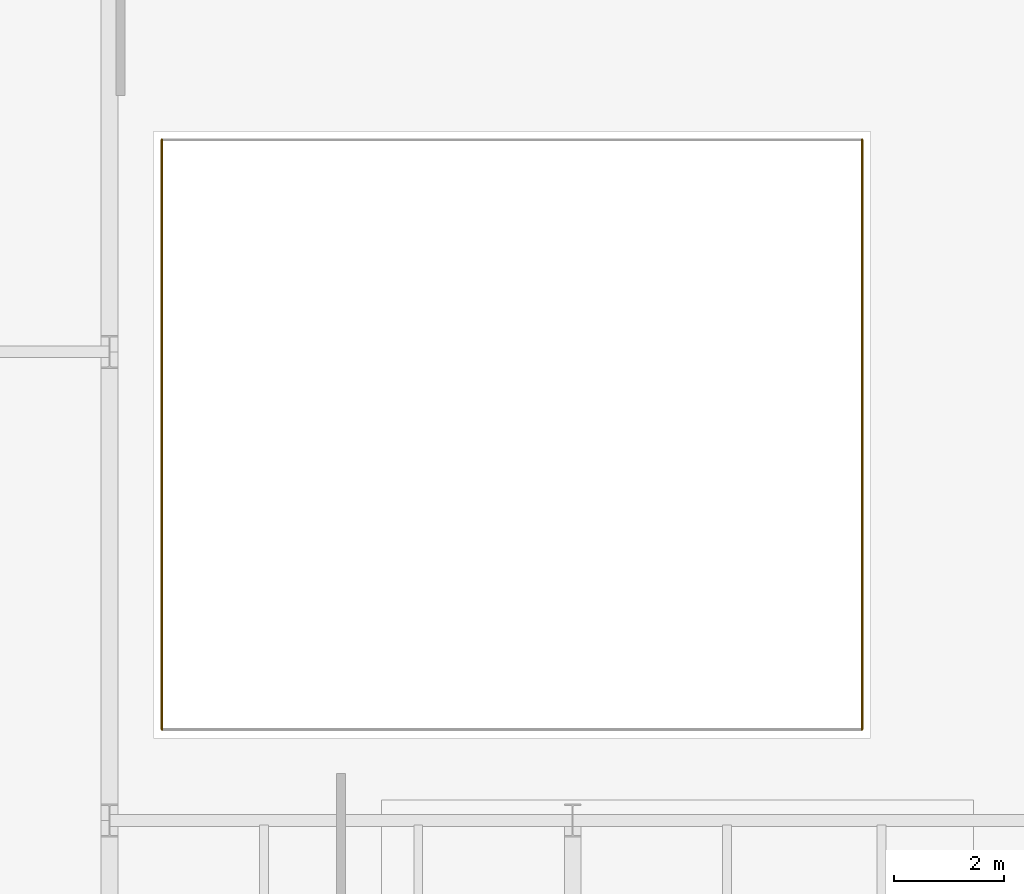
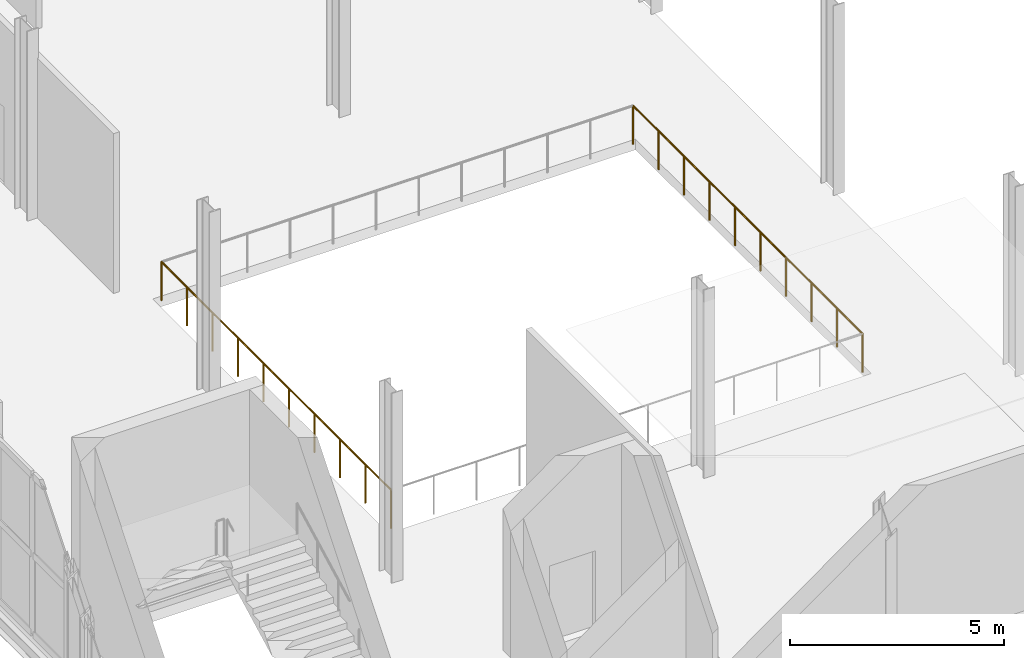
# One storey, part 69 of 78: 2 railings.
"""IFC4 building model written with IfcOpenShell, lengths in metres."""

from ifc_helpers import new_model, si_unit, direction, frame, origin, origin_2d, place, context, subcontext, project, spatial, circle, extrude, material, type_object, element, save


model = new_model("IFC4")

# Units and contexts
model_context = context("Model", 3, precision=1e-05, world=origin(), true_north=direction((0.0, 1.0)))
body_context = subcontext(model_context, "Body", "Model", "MODEL_VIEW")
ifc_project = project(units=[si_unit("LENGTHUNIT", "METRE"), si_unit("AREAUNIT", "SQUARE_METRE"), si_unit("VOLUMEUNIT", "CUBIC_METRE"), si_unit("PLANEANGLEUNIT", "RADIAN"), si_unit("MASSUNIT", "GRAM", prefix="KILO")], contexts=[model_context])

# Site, building, storey
site_placement = place(None, origin())
site = spatial("IfcSite", under=ifc_project, at=site_placement, CompositionType="ELEMENT")
building_placement = place(site_placement, origin())
building = spatial("IfcBuilding", under=site, at=building_placement, Name="Sefraquen Railside Congress Hotel", CompositionType="ELEMENT")
storey_placement = place(building_placement, frame((0.0, 0.0, 6.0)))
storey = spatial("IfcBuildingStorey", under=building, at=storey_placement, Name="L01", CompositionType="ELEMENT", Elevation=6.0)

# Railings
ifc_material = material(Name="Patinated wrought architectural bronze", Category="metal")
railing_type = type_object("IfcRailingType", Name="TRL-BAL-110", PredefinedType="BALUSTRADE", material=ifc_material)
railing_1_placement = place(storey_placement, frame((125.25, 64.14990234375, 0.0)))
element("IfcRailing", 1, at=railing_1_placement, inside=storey, type_object=railing_type, Name="Covered Public Passage atrium void guard L01", PredefinedType="BALUSTRADE", context=body_context, shape_type="SweptSolid", body=[
    extrude(circle(Radius=0.02392578125, at=origin_2d()), frame((0.0, 0.0, 1.09619140625), z_axis=(0.0, 1.0, 0.0), x_axis=(-1.0, 0.0, 0.0)), (0.0, 0.0, 1.0), 10.7001953125),
    extrude(circle(Radius=0.02099609375, at=origin_2d()), origin(), (0.0, 0.0, 1.0), 1.072021484375),
    extrude(circle(Radius=0.02099609375, at=origin_2d()), frame((0.0, 1.18896484375, 0.0)), (0.0, 0.0, 1.0), 1.072021484375),
    extrude(circle(Radius=0.02099609375, at=origin_2d()), frame((0.0, 2.3779296875, 0.0)), (0.0, 0.0, 1.0), 1.072021484375),
    extrude(circle(Radius=0.02099609375, at=origin_2d()), frame((0.0, 3.566650390625, 0.0)), (0.0, 0.0, 1.0), 1.072021484375),
    extrude(circle(Radius=0.02099609375, at=origin_2d()), frame((0.0, 4.755615234375, 0.0)), (0.0, 0.0, 1.0), 1.072021484375),
    extrude(circle(Radius=0.02099609375, at=origin_2d()), frame((0.0, 5.944580078125, 0.0)), (0.0, 0.0, 1.0), 1.072021484375),
    extrude(circle(Radius=0.02099609375, at=origin_2d()), frame((0.0, 7.133544921875, 0.0)), (0.0, 0.0, 1.0), 1.072021484375),
    extrude(circle(Radius=0.02099609375, at=origin_2d()), frame((0.0, 8.322265625, 0.0)), (0.0, 0.0, 1.0), 1.072021484375),
    extrude(circle(Radius=0.02099609375, at=origin_2d()), frame((0.0, 9.51123046875, 0.0)), (0.0, 0.0, 1.0), 1.072021484375),
    extrude(circle(Radius=0.02099609375, at=origin_2d()), frame((0.0, 10.7001953125, 0.0)), (0.0, 0.0, 1.0), 1.072021484375),
])
railing_2_placement = place(storey_placement, frame((112.550048828125, 74.85009765625, 0.0)))
element("IfcRailing", 2, at=railing_2_placement, inside=storey, type_object=railing_type, Name="Covered Public Passage atrium void guard L01", PredefinedType="BALUSTRADE", context=body_context, shape_type="SweptSolid", body=[
    extrude(circle(Radius=0.02392578125, at=origin_2d()), frame((0.0, 0.0, 1.09619140625), z_axis=(0.0, -1.0, 0.0), x_axis=(1.0, 0.0, 0.0)), (0.0, 0.0, 1.0), 10.7001953125),
    extrude(circle(Radius=0.02099609375, at=origin_2d()), origin(), (0.0, 0.0, 1.0), 1.072021484375),
    extrude(circle(Radius=0.02099609375, at=origin_2d()), frame((0.0, -1.18896484375, 0.0)), (0.0, 0.0, 1.0), 1.072021484375),
    extrude(circle(Radius=0.02099609375, at=origin_2d()), frame((0.0, -2.3779296875, 0.0)), (0.0, 0.0, 1.0), 1.072021484375),
    extrude(circle(Radius=0.02099609375, at=origin_2d()), frame((0.0, -3.566650390625, 0.0)), (0.0, 0.0, 1.0), 1.072021484375),
    extrude(circle(Radius=0.02099609375, at=origin_2d()), frame((0.0, -4.755615234375, 0.0)), (0.0, 0.0, 1.0), 1.072021484375),
    extrude(circle(Radius=0.02099609375, at=origin_2d()), frame((0.0, -5.944580078125, 0.0)), (0.0, 0.0, 1.0), 1.072021484375),
    extrude(circle(Radius=0.02099609375, at=origin_2d()), frame((0.0, -7.133544921875, 0.0)), (0.0, 0.0, 1.0), 1.072021484375),
    extrude(circle(Radius=0.02099609375, at=origin_2d()), frame((0.0, -8.322265625, 0.0)), (0.0, 0.0, 1.0), 1.072021484375),
    extrude(circle(Radius=0.02099609375, at=origin_2d()), frame((0.0, -9.51123046875, 0.0)), (0.0, 0.0, 1.0), 1.072021484375),
    extrude(circle(Radius=0.02099609375, at=origin_2d()), frame((0.0, -10.7001953125, 0.0)), (0.0, 0.0, 1.0), 1.072021484375),
])

save(model, "model.ifc")
